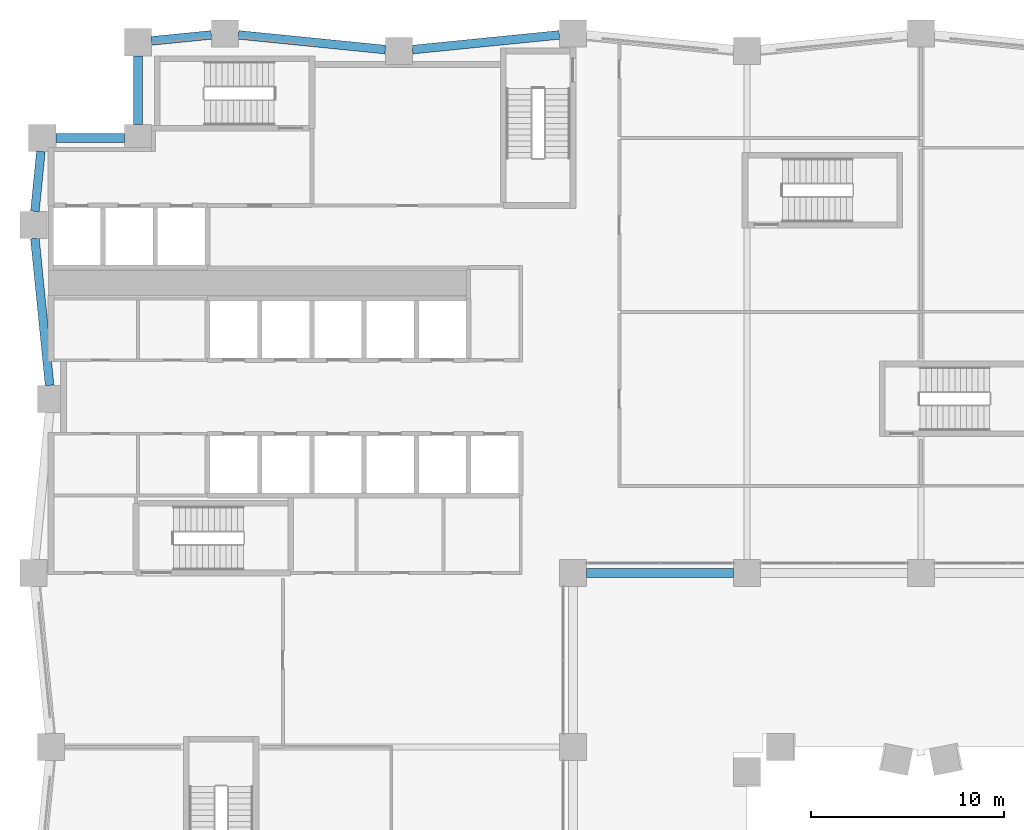
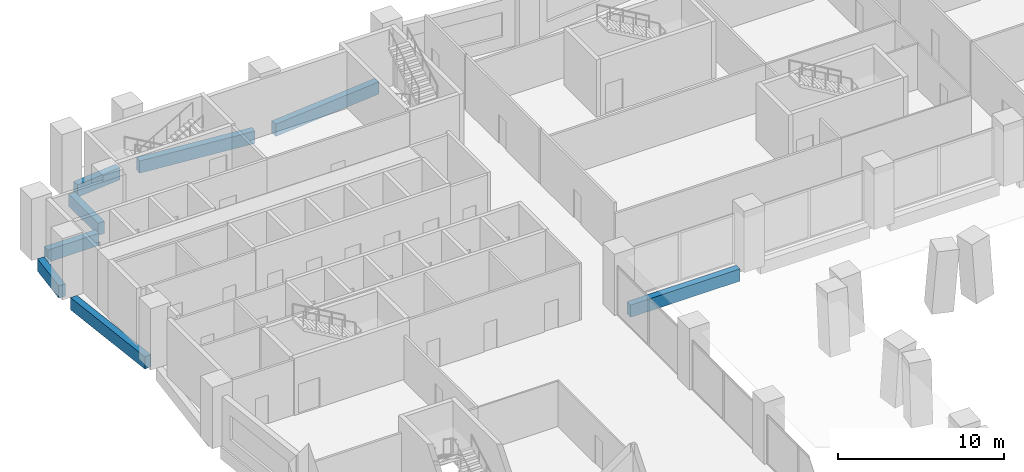
# One storey, part 5 of 18: 8 beams.
"""IFC4 building model written with IfcOpenShell, lengths in metres."""

from ifc_helpers import new_model, si_unit, direction, frame, origin, origin_2d, place, context, subcontext, project, spatial, rectangle, extrude, material, material_profile, profile_set, type_object, element, save


model = new_model("IFC4")

# Units and contexts
model_context = context("Model", 3, precision=1e-05, world=origin(), true_north=direction((0.0, 1.0)))
body_context = subcontext(model_context, "Body", "Model", "MODEL_VIEW")
ifc_project = project(units=[si_unit("LENGTHUNIT", "METRE"), si_unit("AREAUNIT", "SQUARE_METRE"), si_unit("VOLUMEUNIT", "CUBIC_METRE"), si_unit("PLANEANGLEUNIT", "RADIAN"), si_unit("MASSUNIT", "GRAM", prefix="KILO")], contexts=[model_context])

# Site, building, storey
site_placement = place(None, origin())
site = spatial("IfcSite", under=ifc_project, at=site_placement, CompositionType="ELEMENT")
building_placement = place(site_placement, origin())
building = spatial("IfcBuilding", under=site, at=building_placement, Name="Brondeck Convention Tower", CompositionType="ELEMENT")
storey_placement = place(building_placement, frame((0.0, 0.0, 27.5)))
storey = spatial("IfcBuildingStorey", under=building, at=storey_placement, Name="L04", CompositionType="ELEMENT", Elevation=27.5)

# Beams
ifc_material = material(Name="Concrete C80/95", Category="concrete")
ifc_material_profile = material_profile(ifc_material, rectangle(XDim=0.449951171875, YDim=0.89990234375, at=origin_2d()), Name="Edge beam 450x900 Concrete C80/95")
ifc_profile_set = profile_set([ifc_material_profile], Name="Concrete C80/95")
beam_type = type_object("IfcBeamType", Name="Edge beam 450x900 Concrete C80/95", PredefinedType="BEAM", material=ifc_profile_set)
beam_1_placement = place(storey_placement, frame((27.699951171875, 36.0, -0.449951171875), z_axis=(1.0, 0.0, 0.0), x_axis=(0.0, 1.0, 0.0)))
element("IfcBeam", 1, at=beam_1_placement, inside=storey, type_object=beam_type, Name="STR-SP-L04-009", PredefinedType="BEAM", context=body_context, shape_type="SweptSolid", body=[
    extrude(rectangle(XDim=0.449951171875, YDim=0.89990234375, at=origin_2d()), origin(), (0.0, 0.0, 1.0), 7.60009765625),
])
for number, where, z_axis, x_axis, name in (
    (2, (26.300048828125, 63.830078125, -0.449951171875), (-0.99503719021, -0.099503719021, 0.0), (0.099503719021, -0.99503719021, 0.0), "STR-SP-L04-025"),
    (3, (17.300048828125, 63.070068359375, -0.449951171875), (-0.99503719021, 0.099503719021, 0.0), (-0.099503719021, -0.99503719021, 0.0), "STR-SP-L04-026"),
):
    element("IfcBeam", number, at=place(storey_placement, frame(where, z_axis=z_axis, x_axis=x_axis)), inside=storey, type_object=beam_type, Name=name, PredefinedType="BEAM", context=body_context, shape_type="SweptSolid", body=[
        extrude(rectangle(XDim=0.449951171875, YDim=0.89990234375, at=origin_2d()), origin(), (0.0, 0.0, 1.0), 7.637939453125),
    ])
beam_2_placement = place(storey_placement, frame((8.300048828125, 63.830078125, -0.449951171875), z_axis=(-0.995035638374, -0.099519236158, 0.0), x_axis=(0.099519236158, -0.995035638374, 0.0)))
element("IfcBeam", 4, at=beam_2_placement, inside=storey, type_object=beam_type, Name="STR-SP-L04-027", PredefinedType="BEAM", context=body_context, shape_type="SweptSolid", body=[
    extrude(rectangle(XDim=0.449951171875, YDim=0.89990234375, at=origin_2d()), origin(), (0.0, 0.0, 1.0), 3.115478515625),
])
for number, where, z_axis, x_axis, name in (
    (5, (4.5, 62.75, -0.449951171875), (0.0, -1.0, 0.0), (1.0, 0.0, 0.0), "STR-SP-L04-028"),
    (6, (3.800048828125, 58.5, -0.449951171875), (-1.0, 0.0, 0.0), (0.0, -1.0, 0.0), "STR-SP-L04-029"),
):
    element("IfcBeam", number, at=place(storey_placement, frame(where, z_axis=z_axis, x_axis=x_axis)), inside=storey, type_object=beam_type, Name=name, PredefinedType="BEAM", context=body_context, shape_type="SweptSolid", body=[
        extrude(rectangle(XDim=0.449951171875, YDim=0.89990234375, at=origin_2d()), origin(), (0.0, 0.0, 1.0), 3.550048828125),
    ])
beam_3_placement = place(storey_placement, frame((-0.52001953125, 57.800048828125, -0.449951171875), z_axis=(-0.099519236158, -0.995035638374, 0.0), x_axis=(0.995035638374, -0.099519236158, 0.0)))
element("IfcBeam", 7, at=beam_3_placement, inside=storey, type_object=beam_type, Name="STR-SP-L04-030", PredefinedType="BEAM", context=body_context, shape_type="SweptSolid", body=[
    extrude(rectangle(XDim=0.449951171875, YDim=0.89990234375, at=origin_2d()), origin(), (0.0, 0.0, 1.0), 3.115478515625),
])
beam_4_placement = place(storey_placement, frame((-0.830078125, 53.300048828125, -0.449951171875), z_axis=(0.099503719021, -0.99503719021, 0.0), x_axis=(0.99503719021, 0.099503719021, 0.0)))
element("IfcBeam", 8, at=beam_4_placement, inside=storey, type_object=beam_type, Name="STR-SP-L04-031", PredefinedType="BEAM", context=body_context, shape_type="SweptSolid", body=[
    extrude(rectangle(XDim=0.449951171875, YDim=0.89990234375, at=origin_2d()), origin(), (0.0, 0.0, 1.0), 7.637939453125),
])

save(model, "model.ifc")
